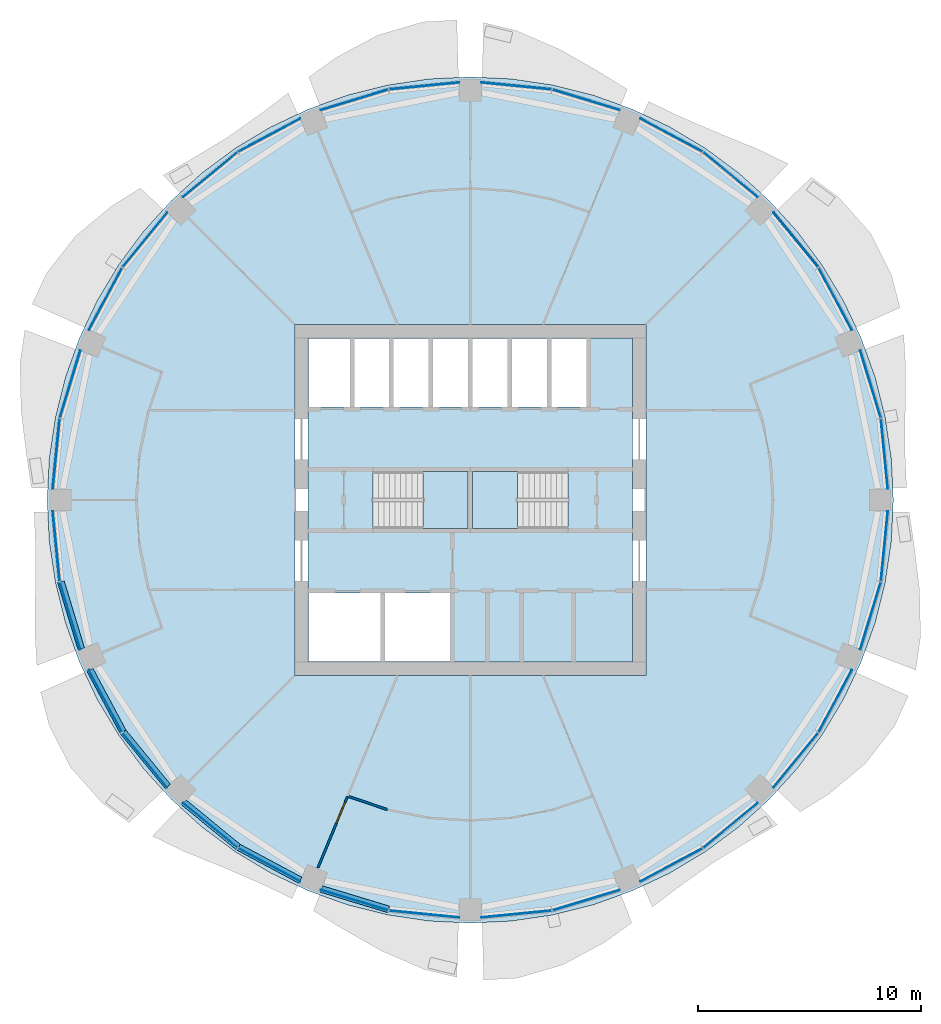
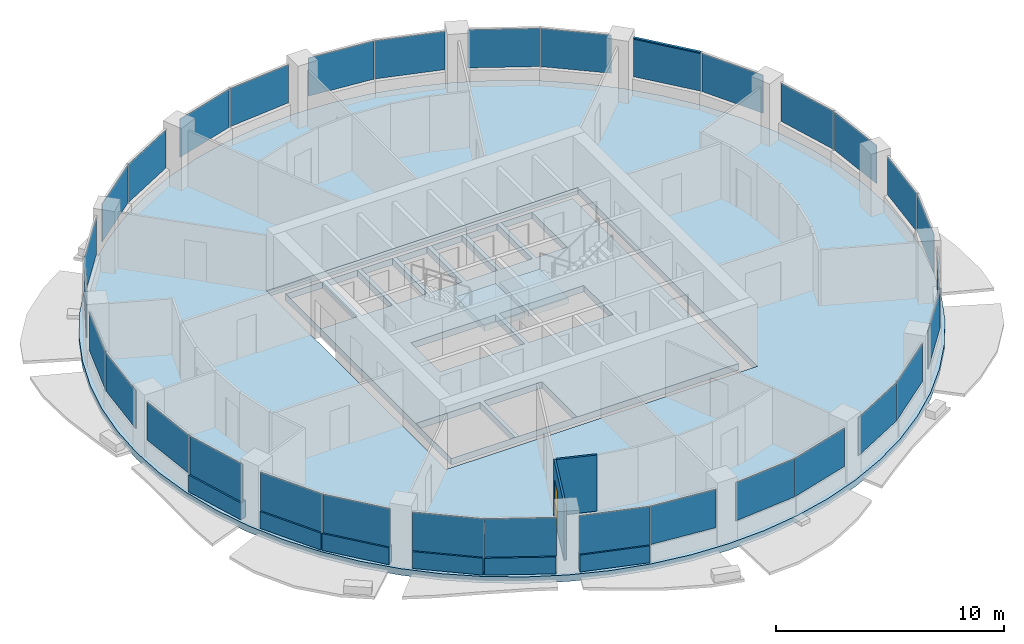
# One storey, part 7 of 15: 32 plates, 8 walls, 4 slabs, 1 door, 1 member, 1 opening, 18 elements without a shape of their own.
"""IFC4 building model written with IfcOpenShell, lengths in metres."""

from ifc_helpers import new_model, si_unit, direction, frame, frame_2d, origin, origin_2d, place, context, subcontext, project, spatial, polyline, rectangle, outline, extrude, material, layer, layer_set, material_profile, profile_set, type_object, element, fill, aggregate, save


model = new_model("IFC4")

# Units and contexts
model_context = context("Model", 3, precision=1e-05, world=origin(), true_north=direction((0.0, 1.0)))
body_context = subcontext(model_context, "Body", "Model", "MODEL_VIEW")
ifc_project = project(units=[si_unit("LENGTHUNIT", "METRE"), si_unit("AREAUNIT", "SQUARE_METRE"), si_unit("VOLUMEUNIT", "CUBIC_METRE"), si_unit("PLANEANGLEUNIT", "RADIAN"), si_unit("MASSUNIT", "GRAM", prefix="KILO")], contexts=[model_context])

# Site, building, storey
site_placement = place(None, origin())
site = spatial("IfcSite", under=ifc_project, at=site_placement, CompositionType="ELEMENT")
building_placement = place(site_placement, origin())
building = spatial("IfcBuilding", under=site, at=building_placement, Name="Polderwave Tower", CompositionType="ELEMENT")
storey_placement = place(building_placement, frame((0.0, 0.0, 134.35009765625)))
storey = spatial("IfcBuildingStorey", under=building, at=storey_placement, Name="L35", CompositionType="ELEMENT", Elevation=134.35009765625)

# Curtain wall, member
ifc_material_1 = material(Name="Aluminium 6063-T6 and glass", Category="aluminium")
curtain_wall_type = type_object("IfcCurtainWallType", Name="Office ribbon glazing wall", PredefinedType="NOTDEFINED", material=ifc_material_1)
curtain_wall_1_placement = place(storey_placement, origin())
curtain_wall_1 = element("IfcCurtainWall", 1, at=curtain_wall_1_placement, inside=storey, type_object=curtain_wall_type, Name="CW3 L35 01", PredefinedType="NOTDEFINED")
ifc_material_2 = material(Name="Aluminium 6063-T6", Category="aluminium")
ifc_material_profile = material_profile(ifc_material_2, rectangle(XDim=0.1201171875, YDim=0.06005859375, at=origin_2d()), Name="AL 60x120")
ifc_profile_set = profile_set([ifc_material_profile], Name="Aluminium 6063-T6")
member_type = type_object("IfcMemberType", Name="Office ribbon glazing transom 60x120", PredefinedType="USERDEFINED", material=ifc_profile_set)
member_placement = place(storey_placement, frame((15.59765625, 10.455322265625, 2.969970703125), z_axis=(-0.634536204131, 0.772893139863, 0.0), x_axis=(-0.772893139863, -0.634536204131, 0.0)))
member = element("IfcMember", 2, at=member_placement, type_object=member_type, Name="CW3 transom 2", ObjectType="TRANSOM", PredefinedType="USERDEFINED", context=body_context, shape_type="SweptSolid", body=[
    extrude(rectangle(XDim=0.1201171875, YDim=0.06005859375, at=origin_2d()), origin(), (0.0, 0.0, 1.0), 3.151611328125),
])

# Slab
ifc_material_3 = material(Name="Concrete C40/50", Category="concrete")
ifc_layer_1 = layer(ifc_material_3, 0.35009765625)
ifc_layer_set_1 = layer_set([ifc_layer_1], Name="Core floor slab 350")
slab_type_1 = type_object("IfcSlabType", Name="Core floor slab 350", PredefinedType="FLOOR", material=ifc_layer_set_1)
slab_1_placement = place(storey_placement, frame((0.0, 0.0, -0.35009765625)))
element("IfcSlab", 3, at=slab_1_placement, inside=storey, type_object=slab_type_1, Name="L35 core floor", PredefinedType="FLOOR", context=body_context, shape_type="SweptSolid", body=[
    extrude(outline(polyline([(-7.27392578125, -7.27392578125), (7.27392578125, -7.27392578125), (7.27392578125, 7.27392578125), (-7.27392578125, 7.27392578125), (-7.27392578125, -7.27392578125)]), holes=[polyline([(-7.25390625, -7.25390625), (-4.037109375, -7.25390625), (-4.037109375, -4.174072265625), (-7.25390625, -4.174072265625), (-7.25390625, -7.25390625)]), polyline([(-3.8369140625, -7.25390625), (-0.89990234375, -7.25390625), (-0.89990234375, -4.174072265625), (-3.8369140625, -4.174072265625), (-3.8369140625, -7.25390625)]), polyline([(-7.25390625, 4.174072265625), (-5.405517578125, 4.174072265625), (-5.405517578125, 7.25390625), (-7.25390625, 7.25390625), (-7.25390625, 4.174072265625)]), polyline([(-5.20556640625, 4.174072265625), (-3.636962890625, 4.174072265625), (-3.636962890625, 7.25390625), (-5.20556640625, 7.25390625), (-5.20556640625, 4.174072265625)]), polyline([(-3.43701171875, 4.174072265625), (-1.868408203125, 4.174072265625), (-1.868408203125, 7.25390625), (-3.43701171875, 7.25390625), (-3.43701171875, 4.174072265625)]), polyline([(-1.66845703125, 4.174072265625), (-0.10009765625, 4.174072265625), (-0.10009765625, 7.25390625), (-1.66845703125, 7.25390625), (-1.66845703125, 4.174072265625)]), polyline([(0.10009765625, 4.174072265625), (1.66845703125, 4.174072265625), (1.66845703125, 7.25390625), (0.10009765625, 7.25390625), (0.10009765625, 4.174072265625)]), polyline([(1.868408203125, 4.174072265625), (3.43701171875, 4.174072265625), (3.43701171875, 7.25390625), (1.868408203125, 7.25390625), (1.868408203125, 4.174072265625)]), polyline([(3.636962890625, 4.174072265625), (5.20556640625, 4.174072265625), (5.20556640625, 7.25390625), (3.636962890625, 7.25390625), (3.636962890625, 4.174072265625)]), polyline([(-4.37353515625, -1.2744140625), (-0.1005859375, -1.2744140625), (-0.1005859375, 1.2744140625), (-4.37353515625, 1.2744140625), (-4.37353515625, -1.2744140625)]), polyline([(0.1005859375, -1.2744140625), (4.37353515625, -1.2744140625), (4.37353515625, 1.2744140625), (0.1005859375, 1.2744140625), (0.1005859375, -1.2744140625)])]), origin(), (0.0, 0.0, 1.0), 0.35009765625),
])

# Curtain wall, plates
curtain_wall_2_placement = place(storey_placement, origin())
curtain_wall_2 = element("IfcCurtainWall", 4, at=curtain_wall_2_placement, inside=storey, type_object=curtain_wall_type, Name="CW3 L35 00", PredefinedType="NOTDEFINED")
ifc_material_4 = material(Name="Glass, low-e laminated double glazing", Category="glass")
ifc_layer_2 = layer(ifc_material_4, 0.031982421875)
ifc_layer_set_2 = layer_set([ifc_layer_2], Name="Office ribbon glazing glass panel 32 mm")
plate_type = type_object("IfcPlateType", Name="Office ribbon glazing glass panel 32 mm", PredefinedType="CURTAIN_PANEL", material=ifc_layer_set_2)
plate_1_placement = place(storey_placement, frame((18.576416015625, 2.068359375, 0.89990234375), z_axis=(0.0, 0.0, 1.0), x_axis=(-0.098133513635, 0.995173258032, 0.0)))
plate_1 = element("IfcPlate", 5, at=plate_1_placement, type_object=plate_type, Name="CW3 panel 1", PredefinedType="CURTAIN_PANEL", context=body_context, shape_type="SweptSolid", body=[
    extrude(rectangle(XDim=3.15185546875, YDim=0.031982421875, at=origin_2d()), origin(), (0.0, 0.0, 1.0), 2.0400390625),
])
plate_2_placement = place(storey_placement, frame((17.95361328125, 5.1982421875, 0.89990234375), z_axis=(0.0, 0.0, 1.0), x_axis=(-0.290348143302, 0.956921081219, 0.0)))
plate_2 = element("IfcPlate", 6, at=plate_2_placement, type_object=plate_type, Name="CW3 panel 2", PredefinedType="CURTAIN_PANEL", context=body_context, shape_type="SweptSolid", body=[
    extrude(rectangle(XDim=3.1513671875, YDim=0.031982421875, at=origin_2d()), origin(), (0.0, 0.0, 1.0), 2.0400390625),
])
aggregate(curtain_wall_2, [plate_1, plate_2])

# Plate
plate_3_placement = place(storey_placement, frame((16.37109375, 9.02001953125, 0.89990234375), z_axis=(0.0, 0.0, 1.0), x_axis=(-0.471453687833, 0.881890821036, 0.0)))
plate_3 = element("IfcPlate", 7, at=plate_3_placement, type_object=plate_type, Name="CW3 panel 1", PredefinedType="CURTAIN_PANEL", context=body_context, shape_type="SweptSolid", body=[
    extrude(rectangle(XDim=3.152099609375, YDim=0.031982421875, at=origin_2d()), origin(), (0.0, 0.0, 1.0), 2.0400390625),
])

plate_4_placement = place(storey_placement, frame((14.597900390625, 11.673095703125, 0.89990234375), z_axis=(0.0, 0.0, 1.0), x_axis=(-0.634505257601, 0.772918545564, 0.0)))
plate_4 = element("IfcPlate", 8, at=plate_4_placement, type_object=plate_type, Name="CW3 panel 2", PredefinedType="CURTAIN_PANEL", context=body_context, shape_type="SweptSolid", body=[
    extrude(rectangle(XDim=3.1513671875, YDim=0.031982421875, at=origin_2d()), origin(), (0.0, 0.0, 1.0), 2.0400390625),
])

aggregate(curtain_wall_1, [member, plate_3, plate_4])

# Curtain wall, plates
curtain_wall_3_placement = place(storey_placement, origin())
curtain_wall_3 = element("IfcCurtainWall", 9, at=curtain_wall_3_placement, inside=storey, type_object=curtain_wall_type, Name="CW3 L35 02", PredefinedType="NOTDEFINED")
plate_5_placement = place(storey_placement, frame((11.673095703125, 14.597900390625, 0.89990234375), z_axis=(0.0, 0.0, 1.0), x_axis=(-0.772918545564, 0.634505257601, 0.0)))
plate_5 = element("IfcPlate", 10, at=plate_5_placement, type_object=plate_type, Name="CW3 panel 1", PredefinedType="CURTAIN_PANEL", context=body_context, shape_type="SweptSolid", body=[
    extrude(rectangle(XDim=3.1513671875, YDim=0.031982421875, at=origin_2d()), origin(), (0.0, 0.0, 1.0), 2.0400390625),
])
plate_6_placement = place(storey_placement, frame((9.02001953125, 16.37109375, 0.89990234375), z_axis=(0.0, 0.0, 1.0), x_axis=(-0.881890821036, 0.471453687833, 0.0)))
plate_6 = element("IfcPlate", 11, at=plate_6_placement, type_object=plate_type, Name="CW3 panel 2", PredefinedType="CURTAIN_PANEL", context=body_context, shape_type="SweptSolid", body=[
    extrude(rectangle(XDim=3.152099609375, YDim=0.031982421875, at=origin_2d()), origin(), (0.0, 0.0, 1.0), 2.0400390625),
])
aggregate(curtain_wall_3, [plate_5, plate_6])

curtain_wall_4_placement = place(storey_placement, origin())
curtain_wall_4 = element("IfcCurtainWall", 12, at=curtain_wall_4_placement, inside=storey, type_object=curtain_wall_type, Name="CW3 L35 03", PredefinedType="NOTDEFINED")
plate_7_placement = place(storey_placement, frame((5.1982421875, 17.95361328125, 0.89990234375), z_axis=(0.0, 0.0, 1.0), x_axis=(-0.956921081219, 0.290348143302, 0.0)))
plate_7 = element("IfcPlate", 13, at=plate_7_placement, type_object=plate_type, Name="CW3 panel 1", PredefinedType="CURTAIN_PANEL", context=body_context, shape_type="SweptSolid", body=[
    extrude(rectangle(XDim=3.1513671875, YDim=0.031982421875, at=origin_2d()), origin(), (0.0, 0.0, 1.0), 2.0400390625),
])
plate_8_placement = place(storey_placement, frame((2.068359375, 18.576416015625, 0.89990234375), z_axis=(0.0, 0.0, 1.0), x_axis=(-0.995173258032, 0.098133513635, 0.0)))
plate_8 = element("IfcPlate", 14, at=plate_8_placement, type_object=plate_type, Name="CW3 panel 2", PredefinedType="CURTAIN_PANEL", context=body_context, shape_type="SweptSolid", body=[
    extrude(rectangle(XDim=3.15185546875, YDim=0.031982421875, at=origin_2d()), origin(), (0.0, 0.0, 1.0), 2.0400390625),
])
aggregate(curtain_wall_4, [plate_7, plate_8])

curtain_wall_5_placement = place(storey_placement, origin())
curtain_wall_5 = element("IfcCurtainWall", 15, at=curtain_wall_5_placement, inside=storey, type_object=curtain_wall_type, Name="CW3 L35 04", PredefinedType="NOTDEFINED")
plate_9_placement = place(storey_placement, frame((-2.068359375, 18.576416015625, 0.89990234375), z_axis=(0.0, 0.0, 1.0), x_axis=(-0.995173258032, -0.098133513635, 0.0)))
plate_9 = element("IfcPlate", 16, at=plate_9_placement, type_object=plate_type, Name="CW3 panel 1", PredefinedType="CURTAIN_PANEL", context=body_context, shape_type="SweptSolid", body=[
    extrude(rectangle(XDim=3.15185546875, YDim=0.031982421875, at=origin_2d()), origin(), (0.0, 0.0, 1.0), 2.0400390625),
])
plate_10_placement = place(storey_placement, frame((-5.1982421875, 17.95361328125, 0.89990234375), z_axis=(0.0, 0.0, 1.0), x_axis=(-0.956921081219, -0.290348143302, 0.0)))
plate_10 = element("IfcPlate", 17, at=plate_10_placement, type_object=plate_type, Name="CW3 panel 2", PredefinedType="CURTAIN_PANEL", context=body_context, shape_type="SweptSolid", body=[
    extrude(rectangle(XDim=3.1513671875, YDim=0.031982421875, at=origin_2d()), origin(), (0.0, 0.0, 1.0), 2.0400390625),
])
aggregate(curtain_wall_5, [plate_9, plate_10])

curtain_wall_6_placement = place(storey_placement, origin())
curtain_wall_6 = element("IfcCurtainWall", 18, at=curtain_wall_6_placement, inside=storey, type_object=curtain_wall_type, Name="CW3 L35 05", PredefinedType="NOTDEFINED")
plate_11_placement = place(storey_placement, frame((-9.02001953125, 16.37109375, 0.89990234375), z_axis=(0.0, 0.0, 1.0), x_axis=(-0.881890821036, -0.471453687833, 0.0)))
plate_11 = element("IfcPlate", 19, at=plate_11_placement, type_object=plate_type, Name="CW3 panel 1", PredefinedType="CURTAIN_PANEL", context=body_context, shape_type="SweptSolid", body=[
    extrude(rectangle(XDim=3.152099609375, YDim=0.031982421875, at=origin_2d()), origin(), (0.0, 0.0, 1.0), 2.0400390625),
])
plate_12_placement = place(storey_placement, frame((-11.673095703125, 14.597900390625, 0.89990234375), z_axis=(0.0, 0.0, 1.0), x_axis=(-0.772918545564, -0.634505257601, 0.0)))
plate_12 = element("IfcPlate", 20, at=plate_12_placement, type_object=plate_type, Name="CW3 panel 2", PredefinedType="CURTAIN_PANEL", context=body_context, shape_type="SweptSolid", body=[
    extrude(rectangle(XDim=3.1513671875, YDim=0.031982421875, at=origin_2d()), origin(), (0.0, 0.0, 1.0), 2.0400390625),
])
aggregate(curtain_wall_6, [plate_11, plate_12])

curtain_wall_7_placement = place(storey_placement, origin())
curtain_wall_7 = element("IfcCurtainWall", 21, at=curtain_wall_7_placement, inside=storey, type_object=curtain_wall_type, Name="CW3 L35 06", PredefinedType="NOTDEFINED")
plate_13_placement = place(storey_placement, frame((-14.597900390625, 11.673095703125, 0.89990234375), z_axis=(0.0, 0.0, 1.0), x_axis=(-0.634505257601, -0.772918545564, 0.0)))
plate_13 = element("IfcPlate", 22, at=plate_13_placement, type_object=plate_type, Name="CW3 panel 1", PredefinedType="CURTAIN_PANEL", context=body_context, shape_type="SweptSolid", body=[
    extrude(rectangle(XDim=3.1513671875, YDim=0.031982421875, at=origin_2d()), origin(), (0.0, 0.0, 1.0), 2.0400390625),
])
plate_14_placement = place(storey_placement, frame((-16.37109375, 9.02001953125, 0.89990234375), z_axis=(0.0, 0.0, 1.0), x_axis=(-0.471453687833, -0.881890821036, 0.0)))
plate_14 = element("IfcPlate", 23, at=plate_14_placement, type_object=plate_type, Name="CW3 panel 2", PredefinedType="CURTAIN_PANEL", context=body_context, shape_type="SweptSolid", body=[
    extrude(rectangle(XDim=3.152099609375, YDim=0.031982421875, at=origin_2d()), origin(), (0.0, 0.0, 1.0), 2.0400390625),
])
aggregate(curtain_wall_7, [plate_13, plate_14])

curtain_wall_8_placement = place(storey_placement, origin())
curtain_wall_8 = element("IfcCurtainWall", 24, at=curtain_wall_8_placement, inside=storey, type_object=curtain_wall_type, Name="CW3 L35 07", PredefinedType="NOTDEFINED")
plate_15_placement = place(storey_placement, frame((-17.95361328125, 5.1982421875, 0.89990234375), z_axis=(0.0, 0.0, 1.0), x_axis=(-0.290348143302, -0.956921081219, 0.0)))
plate_15 = element("IfcPlate", 25, at=plate_15_placement, type_object=plate_type, Name="CW3 panel 1", PredefinedType="CURTAIN_PANEL", context=body_context, shape_type="SweptSolid", body=[
    extrude(rectangle(XDim=3.1513671875, YDim=0.031982421875, at=origin_2d()), origin(), (0.0, 0.0, 1.0), 2.0400390625),
])
plate_16_placement = place(storey_placement, frame((-18.576416015625, 2.068359375, 0.89990234375), z_axis=(0.0, 0.0, 1.0), x_axis=(-0.098133513635, -0.995173258032, 0.0)))
plate_16 = element("IfcPlate", 26, at=plate_16_placement, type_object=plate_type, Name="CW3 panel 2", PredefinedType="CURTAIN_PANEL", context=body_context, shape_type="SweptSolid", body=[
    extrude(rectangle(XDim=3.15185546875, YDim=0.031982421875, at=origin_2d()), origin(), (0.0, 0.0, 1.0), 2.0400390625),
])
aggregate(curtain_wall_8, [plate_15, plate_16])

curtain_wall_9_placement = place(storey_placement, origin())
curtain_wall_9 = element("IfcCurtainWall", 27, at=curtain_wall_9_placement, inside=storey, type_object=curtain_wall_type, Name="CW3 L35 08", PredefinedType="NOTDEFINED")
plate_17_placement = place(storey_placement, frame((-18.576416015625, -2.068359375, 0.89990234375), z_axis=(0.0, 0.0, 1.0), x_axis=(0.098133513635, -0.995173258032, 0.0)))
plate_17 = element("IfcPlate", 28, at=plate_17_placement, type_object=plate_type, Name="CW3 panel 1", PredefinedType="CURTAIN_PANEL", context=body_context, shape_type="SweptSolid", body=[
    extrude(rectangle(XDim=3.15185546875, YDim=0.031982421875, at=origin_2d()), origin(), (0.0, 0.0, 1.0), 2.0400390625),
])
plate_18_placement = place(storey_placement, frame((-17.95361328125, -5.1982421875, 0.89990234375), z_axis=(0.0, 0.0, 1.0), x_axis=(0.290348143302, -0.956921081219, 0.0)))
plate_18 = element("IfcPlate", 29, at=plate_18_placement, type_object=plate_type, Name="CW3 panel 2", PredefinedType="CURTAIN_PANEL", context=body_context, shape_type="SweptSolid", body=[
    extrude(rectangle(XDim=3.1513671875, YDim=0.031982421875, at=origin_2d()), origin(), (0.0, 0.0, 1.0), 2.0400390625),
])
aggregate(curtain_wall_9, [plate_17, plate_18])

curtain_wall_10_placement = place(storey_placement, origin())
curtain_wall_10 = element("IfcCurtainWall", 30, at=curtain_wall_10_placement, inside=storey, type_object=curtain_wall_type, Name="CW3 L35 09", PredefinedType="NOTDEFINED")
plate_19_placement = place(storey_placement, frame((-16.37109375, -9.02001953125, 0.89990234375), z_axis=(0.0, 0.0, 1.0), x_axis=(0.471453687833, -0.881890821036, 0.0)))
plate_19 = element("IfcPlate", 31, at=plate_19_placement, type_object=plate_type, Name="CW3 panel 1", PredefinedType="CURTAIN_PANEL", context=body_context, shape_type="SweptSolid", body=[
    extrude(rectangle(XDim=3.152099609375, YDim=0.031982421875, at=origin_2d()), origin(), (0.0, 0.0, 1.0), 2.0400390625),
])
plate_20_placement = place(storey_placement, frame((-14.597900390625, -11.673095703125, 0.89990234375), z_axis=(0.0, 0.0, 1.0), x_axis=(0.634505257601, -0.772918545564, 0.0)))
plate_20 = element("IfcPlate", 32, at=plate_20_placement, type_object=plate_type, Name="CW3 panel 2", PredefinedType="CURTAIN_PANEL", context=body_context, shape_type="SweptSolid", body=[
    extrude(rectangle(XDim=3.1513671875, YDim=0.031982421875, at=origin_2d()), origin(), (0.0, 0.0, 1.0), 2.0400390625),
])
aggregate(curtain_wall_10, [plate_19, plate_20])

curtain_wall_11_placement = place(storey_placement, origin())
curtain_wall_11 = element("IfcCurtainWall", 33, at=curtain_wall_11_placement, inside=storey, type_object=curtain_wall_type, Name="CW3 L35 10", PredefinedType="NOTDEFINED")
plate_21_placement = place(storey_placement, frame((-11.673095703125, -14.597900390625, 0.89990234375), z_axis=(0.0, 0.0, 1.0), x_axis=(0.772918545564, -0.634505257601, 0.0)))
plate_21 = element("IfcPlate", 34, at=plate_21_placement, type_object=plate_type, Name="CW3 panel 1", PredefinedType="CURTAIN_PANEL", context=body_context, shape_type="SweptSolid", body=[
    extrude(rectangle(XDim=3.1513671875, YDim=0.031982421875, at=origin_2d()), origin(), (0.0, 0.0, 1.0), 2.0400390625),
])
plate_22_placement = place(storey_placement, frame((-9.02001953125, -16.37109375, 0.89990234375), z_axis=(0.0, 0.0, 1.0), x_axis=(0.881890821036, -0.471453687833, 0.0)))
plate_22 = element("IfcPlate", 35, at=plate_22_placement, type_object=plate_type, Name="CW3 panel 2", PredefinedType="CURTAIN_PANEL", context=body_context, shape_type="SweptSolid", body=[
    extrude(rectangle(XDim=3.152099609375, YDim=0.031982421875, at=origin_2d()), origin(), (0.0, 0.0, 1.0), 2.0400390625),
])
aggregate(curtain_wall_11, [plate_21, plate_22])

curtain_wall_12_placement = place(storey_placement, origin())
curtain_wall_12 = element("IfcCurtainWall", 36, at=curtain_wall_12_placement, inside=storey, type_object=curtain_wall_type, Name="CW3 L35 11", PredefinedType="NOTDEFINED")
plate_23_placement = place(storey_placement, frame((-5.1982421875, -17.95361328125, 0.89990234375), z_axis=(0.0, 0.0, 1.0), x_axis=(0.956921081219, -0.290348143302, 0.0)))
plate_23 = element("IfcPlate", 37, at=plate_23_placement, type_object=plate_type, Name="CW3 panel 1", PredefinedType="CURTAIN_PANEL", context=body_context, shape_type="SweptSolid", body=[
    extrude(rectangle(XDim=3.1513671875, YDim=0.031982421875, at=origin_2d()), origin(), (0.0, 0.0, 1.0), 2.0400390625),
])
plate_24_placement = place(storey_placement, frame((-2.068359375, -18.576416015625, 0.89990234375), z_axis=(0.0, 0.0, 1.0), x_axis=(0.995173258032, -0.098133513635, 0.0)))
plate_24 = element("IfcPlate", 38, at=plate_24_placement, type_object=plate_type, Name="CW3 panel 2", PredefinedType="CURTAIN_PANEL", context=body_context, shape_type="SweptSolid", body=[
    extrude(rectangle(XDim=3.15185546875, YDim=0.031982421875, at=origin_2d()), origin(), (0.0, 0.0, 1.0), 2.0400390625),
])
aggregate(curtain_wall_12, [plate_23, plate_24])

curtain_wall_13_placement = place(storey_placement, origin())
curtain_wall_13 = element("IfcCurtainWall", 39, at=curtain_wall_13_placement, inside=storey, type_object=curtain_wall_type, Name="CW3 L35 12", PredefinedType="NOTDEFINED")
plate_25_placement = place(storey_placement, frame((2.068359375, -18.576416015625, 0.89990234375), z_axis=(0.0, 0.0, 1.0), x_axis=(0.995173258032, 0.098133513635, 0.0)))
plate_25 = element("IfcPlate", 40, at=plate_25_placement, type_object=plate_type, Name="CW3 panel 1", PredefinedType="CURTAIN_PANEL", context=body_context, shape_type="SweptSolid", body=[
    extrude(rectangle(XDim=3.15185546875, YDim=0.031982421875, at=origin_2d()), origin(), (0.0, 0.0, 1.0), 2.0400390625),
])
plate_26_placement = place(storey_placement, frame((5.1982421875, -17.95361328125, 0.89990234375), z_axis=(0.0, 0.0, 1.0), x_axis=(0.956921081219, 0.290348143302, 0.0)))
plate_26 = element("IfcPlate", 41, at=plate_26_placement, type_object=plate_type, Name="CW3 panel 2", PredefinedType="CURTAIN_PANEL", context=body_context, shape_type="SweptSolid", body=[
    extrude(rectangle(XDim=3.1513671875, YDim=0.031982421875, at=origin_2d()), origin(), (0.0, 0.0, 1.0), 2.0400390625),
])
aggregate(curtain_wall_13, [plate_25, plate_26])

curtain_wall_14_placement = place(storey_placement, origin())
curtain_wall_14 = element("IfcCurtainWall", 42, at=curtain_wall_14_placement, inside=storey, type_object=curtain_wall_type, Name="CW3 L35 13", PredefinedType="NOTDEFINED")
plate_27_placement = place(storey_placement, frame((9.02001953125, -16.37109375, 0.89990234375), z_axis=(0.0, 0.0, 1.0), x_axis=(0.881890821036, 0.471453687833, 0.0)))
plate_27 = element("IfcPlate", 43, at=plate_27_placement, type_object=plate_type, Name="CW3 panel 1", PredefinedType="CURTAIN_PANEL", context=body_context, shape_type="SweptSolid", body=[
    extrude(rectangle(XDim=3.152099609375, YDim=0.031982421875, at=origin_2d()), origin(), (0.0, 0.0, 1.0), 2.0400390625),
])
plate_28_placement = place(storey_placement, frame((11.673095703125, -14.597900390625, 0.89990234375), z_axis=(0.0, 0.0, 1.0), x_axis=(0.772918545564, 0.634505257601, 0.0)))
plate_28 = element("IfcPlate", 44, at=plate_28_placement, type_object=plate_type, Name="CW3 panel 2", PredefinedType="CURTAIN_PANEL", context=body_context, shape_type="SweptSolid", body=[
    extrude(rectangle(XDim=3.1513671875, YDim=0.031982421875, at=origin_2d()), origin(), (0.0, 0.0, 1.0), 2.0400390625),
])
aggregate(curtain_wall_14, [plate_27, plate_28])

curtain_wall_15_placement = place(storey_placement, origin())
curtain_wall_15 = element("IfcCurtainWall", 45, at=curtain_wall_15_placement, inside=storey, type_object=curtain_wall_type, Name="CW3 L35 14", PredefinedType="NOTDEFINED")
plate_29_placement = place(storey_placement, frame((14.597900390625, -11.673095703125, 0.89990234375), z_axis=(0.0, 0.0, 1.0), x_axis=(0.634505257601, 0.772918545564, 0.0)))
plate_29 = element("IfcPlate", 46, at=plate_29_placement, type_object=plate_type, Name="CW3 panel 1", PredefinedType="CURTAIN_PANEL", context=body_context, shape_type="SweptSolid", body=[
    extrude(rectangle(XDim=3.1513671875, YDim=0.031982421875, at=origin_2d()), origin(), (0.0, 0.0, 1.0), 2.0400390625),
])
plate_30_placement = place(storey_placement, frame((16.37109375, -9.02001953125, 0.89990234375), z_axis=(0.0, 0.0, 1.0), x_axis=(0.471453687833, 0.881890821036, 0.0)))
plate_30 = element("IfcPlate", 47, at=plate_30_placement, type_object=plate_type, Name="CW3 panel 2", PredefinedType="CURTAIN_PANEL", context=body_context, shape_type="SweptSolid", body=[
    extrude(rectangle(XDim=3.152099609375, YDim=0.031982421875, at=origin_2d()), origin(), (0.0, 0.0, 1.0), 2.0400390625),
])
aggregate(curtain_wall_15, [plate_29, plate_30])

curtain_wall_16_placement = place(storey_placement, origin())
curtain_wall_16 = element("IfcCurtainWall", 48, at=curtain_wall_16_placement, inside=storey, type_object=curtain_wall_type, Name="CW3 L35 15", PredefinedType="NOTDEFINED")
plate_31_placement = place(storey_placement, frame((17.95361328125, -5.1982421875, 0.89990234375), z_axis=(0.0, 0.0, 1.0), x_axis=(0.290348143302, 0.956921081219, 0.0)))
plate_31 = element("IfcPlate", 49, at=plate_31_placement, type_object=plate_type, Name="CW3 panel 1", PredefinedType="CURTAIN_PANEL", context=body_context, shape_type="SweptSolid", body=[
    extrude(rectangle(XDim=3.1513671875, YDim=0.031982421875, at=origin_2d()), origin(), (0.0, 0.0, 1.0), 2.0400390625),
])
plate_32_placement = place(storey_placement, frame((18.576416015625, -2.068359375, 0.89990234375), z_axis=(0.0, 0.0, 1.0), x_axis=(0.098133513635, 0.995173258032, 0.0)))
plate_32 = element("IfcPlate", 50, at=plate_32_placement, type_object=plate_type, Name="CW3 panel 2", PredefinedType="CURTAIN_PANEL", context=body_context, shape_type="SweptSolid", body=[
    extrude(rectangle(XDim=3.15185546875, YDim=0.031982421875, at=origin_2d()), origin(), (0.0, 0.0, 1.0), 2.0400390625),
])
aggregate(curtain_wall_16, [plate_31, plate_32])

# Slab
ifc_layer_3 = layer(ifc_material_3, 0.35009765625)
ifc_layer_set_3 = layer_set([ifc_layer_3], Name="PT FLOOR SLAB 350 C40/50")
slab_type_2 = type_object("IfcSlabType", Name="PT FLOOR SLAB 350 C40/50", PredefinedType="FLOOR", material=ifc_layer_set_3)
slab_2_placement = place(storey_placement, frame((0.0, 0.0, -0.35009765625)))
element("IfcSlab", 51, at=slab_2_placement, inside=storey, type_object=slab_type_2, Name="ST-SLAB-L35", PredefinedType="FLOOR", context=body_context, shape_type="SweptSolid", body=[
    extrude(outline(polyline([(18.97998046875, 0.0), (18.888671875, 1.8603515625), (18.615234375, 3.702880859375), (18.16259765625, 5.509521484375), (17.53515625, 7.26318359375), (16.739013671875, 8.947021484375), (15.78125, 10.544677734375), (14.671630859375, 12.040771484375), (13.4208984375, 13.4208984375), (12.040771484375, 14.671630859375), (10.544677734375, 15.78125), (8.947021484375, 16.739013671875), (7.26318359375, 17.53515625), (5.509521484375, 18.16259765625), (3.702880859375, 18.615234375), (1.8603515625, 18.888671875), (0.0, 18.97998046875), (-1.8603515625, 18.888671875), (-3.702880859375, 18.615234375), (-5.509521484375, 18.16259765625), (-7.26318359375, 17.53515625), (-8.947021484375, 16.739013671875), (-10.544677734375, 15.78125), (-12.040771484375, 14.671630859375), (-13.4208984375, 13.4208984375), (-14.671630859375, 12.040771484375), (-15.78125, 10.544677734375), (-16.739013671875, 8.947021484375), (-17.53515625, 7.26318359375), (-18.16259765625, 5.509521484375), (-18.615234375, 3.702880859375), (-18.888671875, 1.8603515625), (-18.97998046875, 0.0), (-18.888671875, -1.8603515625), (-18.615234375, -3.702880859375), (-18.16259765625, -5.509521484375), (-17.53515625, -7.26318359375), (-16.739013671875, -8.947021484375), (-15.78125, -10.544677734375), (-14.671630859375, -12.040771484375), (-13.4208984375, -13.4208984375), (-12.040771484375, -14.671630859375), (-10.544677734375, -15.78125), (-8.947021484375, -16.739013671875), (-7.26318359375, -17.53515625), (-5.509521484375, -18.16259765625), (-3.702880859375, -18.615234375), (-1.8603515625, -18.888671875), (0.0, -18.97998046875), (1.8603515625, -18.888671875), (3.702880859375, -18.615234375), (5.509521484375, -18.16259765625), (7.26318359375, -17.53515625), (8.947021484375, -16.739013671875), (10.544677734375, -15.78125), (12.040771484375, -14.671630859375), (13.4208984375, -13.4208984375), (14.671630859375, -12.040771484375), (15.78125, -10.544677734375), (16.739013671875, -8.947021484375), (17.53515625, -7.26318359375), (18.16259765625, -5.509521484375), (18.615234375, -3.702880859375), (18.888671875, -1.8603515625), (18.97998046875, 0.0)]), holes=[polyline([(-7.8740234375, -7.8740234375), (7.8740234375, -7.8740234375), (7.8740234375, 7.8740234375), (-7.8740234375, 7.8740234375), (-7.8740234375, -7.8740234375)])]), origin(), (0.0, 0.0, 1.0), 0.35009765625),
])

# Stair, slab
stair_type = type_object("IfcStairType", Name="Exit stair 1200 x 20 risers", PredefinedType="HALF_TURN_STAIR", material=ifc_material_3)
stair_1_placement = place(storey_placement, origin())
stair_1 = element("IfcStair", 52, at=stair_1_placement, inside=storey, type_object=stair_type, Name="L35 Exit stair A", PredefinedType="HALF_TURN_STAIR")
ifc_layer_4 = layer(ifc_material_3, 0.300048828125)
ifc_layer_set_4 = layer_set([ifc_layer_4], Name="Stair landing 300")
slab_type_3 = type_object("IfcSlabType", Name="Stair landing 300", PredefinedType="LANDING", material=ifc_layer_set_4)
slab_3_placement = place(storey_placement, frame((0.0, 0.0, 1.375)))
slab_3 = element("IfcSlab", 53, at=slab_3_placement, type_object=slab_type_3, Name="ST-A landing 1", PredefinedType="LANDING", context=body_context, shape_type="SweptSolid", body=[
    extrude(outline(polyline([(-2.1240234375, -1.27490234375), (-0.10009765625, -1.27490234375), (-0.10009765625, 1.27490234375), (-2.1240234375, 1.27490234375), (-2.1240234375, -1.27490234375)])), origin(), (0.0, 0.0, 1.0), 0.2998046875),
])
aggregate(stair_1, [slab_3])

stair_2_placement = place(storey_placement, origin())
stair_2 = element("IfcStair", 54, at=stair_2_placement, inside=storey, type_object=stair_type, Name="L35 Exit stair B", PredefinedType="HALF_TURN_STAIR")
slab_4_placement = place(storey_placement, frame((0.0, 0.0, 1.375)))
slab_4 = element("IfcSlab", 55, at=slab_4_placement, type_object=slab_type_3, Name="ST-B landing 1", PredefinedType="LANDING", context=body_context, shape_type="SweptSolid", body=[
    extrude(outline(polyline([(2.1240234375, 1.27490234375), (0.10009765625, 1.27490234375), (0.10009765625, -1.27490234375), (2.1240234375, -1.27490234375), (2.1240234375, 1.27490234375)])), origin(), (0.0, 0.0, 1.0), 0.2998046875),
])
aggregate(stair_2, [slab_4])

# Walls
ifc_material_5 = material(Name="Concrete C50/60 (board-marked)", Category="concrete")
ifc_layer_5 = layer(ifc_material_5, 0.300048828125)
ifc_layer_set_5 = layer_set([ifc_layer_5], Name="Concrete spandrel upstand C50/60")
wall_type_1 = type_object("IfcWallType", Name="Concrete spandrel upstand C50/60", PredefinedType="SOLIDWALL", material=ifc_layer_set_5)
wall_1_placement = place(storey_placement, frame((-18.365478515625, -3.66845703125, 0.0), z_axis=(0.0, 0.0, 1.0), x_axis=(0.290434573745, -0.956894852308, 0.0)))
element("IfcWall", 56, at=wall_1_placement, inside=storey, type_object=wall_type_1, Name="Spandrel L35 9b", PredefinedType="SOLIDWALL", context=body_context, shape_type="SweptSolid", body=[
    extrude(rectangle(XDim=3.140380859375, YDim=0.300048828125, at=frame_2d((1.5703125, 0.0))), origin(), (0.0, 0.0, 1.0), 0.89990234375),
])
for number, where, z_axis, x_axis, name in (
    (57, (-17.060791015625, -7.623291015625, 0.0), (0.0, 0.0, 1.0), (0.471487773873, -0.881872597991, 0.0), "Spandrel L35 10a"),
    (58, (-15.5634765625, -10.41748046875, 0.0), (0.0, 0.0, 1.0), (0.634270150579, -0.773111490074, 0.0), "Spandrel L35 10b"),
    (59, (-12.845458984375, -13.571533203125, 0.0), (0.0, 0.0, 1.0), (0.773111490074, -0.634270150579, 0.0), "Spandrel L35 11a"),
    (60, (-10.392822265625, -15.580078125, 0.0), (0.0, 0.0, 1.0), (0.881872597991, -0.471487773873, 0.0), "Spandrel L35 11b"),
):
    element("IfcWall", number, at=place(storey_placement, frame(where, z_axis=z_axis, x_axis=x_axis)), inside=storey, type_object=wall_type_1, Name=name, PredefinedType="SOLIDWALL", context=body_context, shape_type="SweptSolid", body=[
        extrude(rectangle(XDim=3.140625, YDim=0.300048828125, at=frame_2d((1.5703125, 0.0))), origin(), (0.0, 0.0, 1.0), 0.89990234375),
    ])
wall_2_placement = place(storey_placement, frame((-6.673583984375, -17.453369140625, 0.0), z_axis=(0.0, 0.0, 1.0), x_axis=(0.956894852308, -0.290434573745, 0.0)))
element("IfcWall", 61, at=wall_2_placement, inside=storey, type_object=wall_type_1, Name="Spandrel L35 12a", PredefinedType="SOLIDWALL", context=body_context, shape_type="SweptSolid", body=[
    extrude(rectangle(XDim=3.140380859375, YDim=0.300048828125, at=frame_2d((1.5703125, 0.0))), origin(), (0.0, 0.0, 1.0), 0.89990234375),
])

# Wall, opening, door
ifc_material_6 = material(Name="Plasterboard on steel studs", Category="steel")
ifc_layer_6 = layer(ifc_material_6, 0.10009765625)
ifc_layer_set_6 = layer_set([ifc_layer_6], Name="Partition 100 mm plasterboard on steel studs")
wall_type_2 = type_object("IfcWallType", Name="Partition 100 mm plasterboard on steel studs", PredefinedType="PARTITIONING", material=ifc_layer_set_6)
wall_3_placement = place(storey_placement, frame((-5.5029296875, -13.285400390625, 0.0), z_axis=(0.0, 0.0, 1.0), x_axis=(-0.382681133009, -0.923880484932, 0.0)))
wall_3 = element("IfcWall", 62, at=wall_3_placement, inside=storey, type_object=wall_type_2, Name="IN-L35-W042", PredefinedType="PARTITIONING", context=body_context, shape_type="SweptSolid", body=[
    extrude(rectangle(XDim=3.469970703125, YDim=0.10009765625, at=frame_2d((1.73486328125, 0.0))), origin(), (0.0, 0.0, 1.0), 3.0),
])
opening_placement = place(wall_3_placement, frame((0.300048828125, 0.0, 0.0)))
opening = element("IfcOpeningElement", 63, at=opening_placement, cuts=wall_3, Name="Opening L35-D65", PredefinedType="OPENING", context=body_context, shape_type="SweptSolid", body=[
    extrude(rectangle(XDim=1.0, YDim=2.10009765625, at=frame_2d((0.5, 1.050048828125))), frame((0.0, 0.06005859375, 0.0), z_axis=(0.0, -1.0, 0.0), x_axis=(1.0, 0.0, 0.0)), (0.0, 0.0, 1.0), 0.1201171875),
])
ifc_material_7 = material(Name="Timber veneer door leaf", Category="wood")
door_type = type_object("IfcDoorType", Name="Single door 1000 x 2100", OperationType="NOTDEFINED", PredefinedType="DOOR", material=ifc_material_7)
door_placement = place(opening_placement, origin())
door = element("IfcDoor", 64, at=door_placement, inside=storey, type_object=door_type, Name="Door L35-D65", OperationType="SINGLE_SWING_LEFT", OverallHeight=2.10009765625, OverallWidth=1.0, PredefinedType="DOOR", context=body_context, shape_type="SweptSolid", body=[
    extrude(rectangle(XDim=1.0, YDim=2.10009765625, at=frame_2d((0.5, 1.050048828125))), frame((0.0, 0.02490234375, 0.0), z_axis=(0.0, -1.0, 0.0), x_axis=(1.0, 0.0, 0.0)), (0.0, 0.0, 1.0), 0.050048828125),
])
fill(opening, door)

# Wall
ifc_material_8 = material(Name="Moisture-resistant board on steel studs, tiled", Category="steel")
ifc_layer_7 = layer(ifc_material_8, 0.10498046875)
ifc_layer_set_7 = layer_set([ifc_layer_7], Name="Partition 105 mm wet room board and tile")
wall_type_3 = type_object("IfcWallType", Name="Partition 105 mm wet room board and tile", PredefinedType="PARTITIONING", material=ifc_layer_set_7)
wall_4_placement = place(storey_placement, frame((-3.72509765625, -13.888916015625, 0.0), z_axis=(0.0, 0.0, 1.0), x_axis=(-0.946940097315, 0.321410099556, 0.0)))
element("IfcWall", 65, at=wall_4_placement, inside=storey, type_object=wall_type_3, Name="IN-L35-W043", PredefinedType="PARTITIONING", context=body_context, shape_type="SweptSolid", body=[
    extrude(rectangle(XDim=1.821533203125, YDim=0.10498046875, at=frame_2d((0.91064453125, 0.0))), origin(), (0.0, 0.0, 1.0), 3.0),
])

save(model, "model.ifc")
